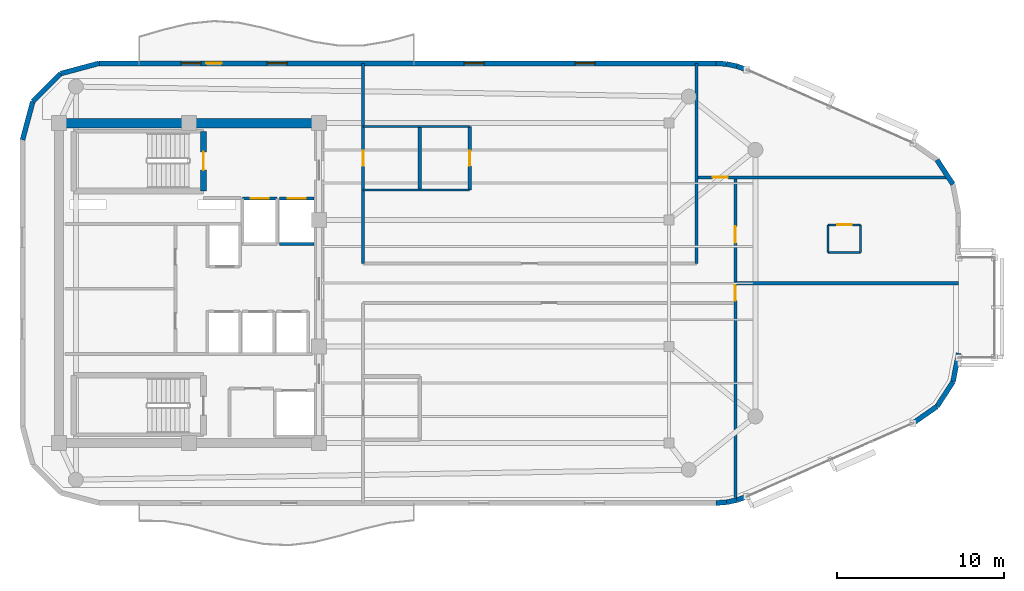
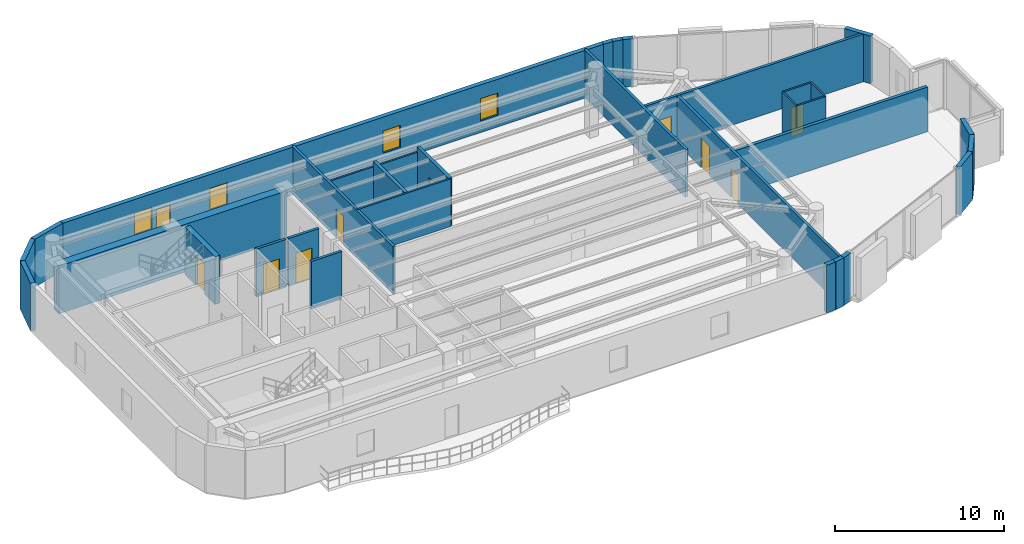
# One storey, part 10 of 13: 32 walls, 10 doors, 4 windows, 14 openings.
"""IFC4 building model written with IfcOpenShell, lengths in metres."""

from ifc_helpers import new_model, si_unit, direction, frame, frame_2d, origin, place, context, subcontext, project, spatial, rectangle, extrude, material, layer, layer_set, type_object, element, fill, save


model = new_model("IFC4")

# Units and contexts
model_context = context("Model", 3, precision=1e-05, world=origin(), true_north=direction((0.0, 1.0)))
body_context = subcontext(model_context, "Body", "Model", "MODEL_VIEW")
ifc_project = project(units=[si_unit("LENGTHUNIT", "METRE"), si_unit("AREAUNIT", "SQUARE_METRE"), si_unit("VOLUMEUNIT", "CUBIC_METRE"), si_unit("PLANEANGLEUNIT", "RADIAN"), si_unit("MASSUNIT", "GRAM", prefix="KILO")], contexts=[model_context])

# Site, building, storey
site_placement = place(None, origin())
site = spatial("IfcSite", under=ifc_project, at=site_placement, CompositionType="ELEMENT")
building_placement = place(site_placement, origin())
building = spatial("IfcBuilding", under=site, at=building_placement, Name="An Khanh Terracotta Commons", CompositionType="ELEMENT")
storey_placement = place(building_placement, frame((0.0, 0.0, 288.0)))
storey = spatial("IfcBuildingStorey", under=building, at=storey_placement, Name="L75", CompositionType="ELEMENT", Elevation=288.0)

# Wall
ifc_material_1 = material(Name="Concrete C50/60", Category="concrete")
ifc_layer_1 = layer(ifc_material_1, 0.550048828125, Name="Concrete C50/60")
ifc_layer_set_1 = layer_set([ifc_layer_1], Name="Concrete C50/60")
wall_type_1 = type_object("IfcWallType", Name="WALL-CORE-550", PredefinedType="SHEAR", material=ifc_layer_set_1)
wall_1_placement = place(storey_placement, frame((21.60009765625, 33.60009765625, 0.0), z_axis=(0.0, 0.0, 1.0), x_axis=(1.0, 0.0, 0.0)))
element("IfcWall", 1, at=wall_1_placement, inside=storey, type_object=wall_type_1, Name="L75 Core Wall CWALL-L75-N", PredefinedType="SHEAR", context=body_context, shape_type="SweptSolid", body=[
    extrude(rectangle(XDim=15.599853515625, YDim=0.550048828125, at=frame_2d((7.7998046875, 0.0))), origin(), (0.0, 0.0, 1.0), 3.449951171875),
])

# Wall, opening, door
ifc_material_2 = material(Name="Fire-Rated Gypsum Board on Steel Stud", Category="steel")
ifc_layer_2 = layer(ifc_material_2, 0.179931640625, Name="Fire-Rated Gypsum Board on Steel Stud")
ifc_layer_set_2 = layer_set([ifc_layer_2], Name="Fire-Rated Gypsum Board on Steel Stud")
wall_type_2 = type_object("IfcWallType", Name="WALL-CORR-180", PredefinedType="PARTITIONING", material=ifc_layer_set_2)
wall_2_placement = place(storey_placement, frame((32.60009765625, 29.080078125, 0.0), z_axis=(0.0, 0.0, 1.0), x_axis=(1.0, 0.0, 0.0)))
wall_2 = element("IfcWall", 2, at=wall_2_placement, inside=storey, type_object=wall_type_2, Name="L75 Core Wall LSH-L75-FFL-01-N", PredefinedType="PARTITIONING", context=body_context, shape_type="SweptSolid", body=[
    extrude(rectangle(XDim=2.079833984375, YDim=0.179931640625, at=frame_2d((1.0400390625, 0.0))), origin(), (0.0, 0.0, 1.0), 3.449951171875),
])
opening_1_placement = place(wall_2_placement, frame((0.489990234375, 0.0, 0.0)))
opening_1 = element("IfcOpeningElement", 3, at=opening_1_placement, cuts=wall_2, Name="Opening LD-FFL-01-L75", PredefinedType="OPENING", context=body_context, shape_type="SweptSolid", body=[
    extrude(rectangle(XDim=1.10009765625, YDim=2.199951171875, at=frame_2d((0.550048828125, 1.10009765625))), frame((0.0, 0.099853515625, 0.0), z_axis=(0.0, -1.0, 0.0), x_axis=(1.0, 0.0, 0.0)), (0.0, 0.0, 1.0), 0.199951171875),
])
ifc_material_3 = material(Name="Brushed Stainless Steel Fire Landing Door", Category="steel")
door_type_1 = type_object("IfcDoorType", Name="DOOR-LD-FFL-1100", OperationType="NOTDEFINED", PredefinedType="DOOR", material=ifc_material_3)
door_1_placement = place(opening_1_placement, origin())
door_1 = element("IfcDoor", 4, at=door_1_placement, inside=storey, type_object=door_type_1, Name="L75 Lift FFL-01 Sliding Landing Door", OperationType="DOUBLE_DOOR_SLIDING", OverallHeight=2.199951171875, OverallWidth=1.10009765625, PredefinedType="DOOR", context=body_context, shape_type="SweptSolid", body=[
    extrude(rectangle(XDim=1.10009765625, YDim=2.199951171875, at=frame_2d((0.550048828125, 1.10009765625))), frame((0.0, 0.02490234375, 0.0), z_axis=(0.0, -1.0, 0.0), x_axis=(1.0, 0.0, 0.0)), (0.0, 0.0, 1.0), 0.050048828125),
])
fill(opening_1, door_1)

wall_3_placement = place(storey_placement, frame((34.820068359375, 29.080078125, 0.0), z_axis=(0.0, 0.0, 1.0), x_axis=(1.0, 0.0, 0.0)))
wall_3 = element("IfcWall", 5, at=wall_3_placement, inside=storey, type_object=wall_type_2, Name="L75 Core Wall LSH-L75-FFL-02-N", PredefinedType="PARTITIONING", context=body_context, shape_type="SweptSolid", body=[
    extrude(rectangle(XDim=2.079833984375, YDim=0.179931640625, at=frame_2d((1.0400390625, 0.0))), origin(), (0.0, 0.0, 1.0), 3.449951171875),
])
opening_2_placement = place(wall_3_placement, frame((0.489990234375, 0.0, 0.0)))
opening_2 = element("IfcOpeningElement", 6, at=opening_2_placement, cuts=wall_3, Name="Opening LD-FFL-02-L75", PredefinedType="OPENING", context=body_context, shape_type="SweptSolid", body=[
    extrude(rectangle(XDim=1.10009765625, YDim=2.199951171875, at=frame_2d((0.550048828125, 1.10009765625))), frame((0.0, 0.099853515625, 0.0), z_axis=(0.0, -1.0, 0.0), x_axis=(1.0, 0.0, 0.0)), (0.0, 0.0, 1.0), 0.199951171875),
])
door_2_placement = place(opening_2_placement, origin())
door_2 = element("IfcDoor", 7, at=door_2_placement, inside=storey, type_object=door_type_1, Name="L75 Lift FFL-02 Sliding Landing Door", OperationType="DOUBLE_DOOR_SLIDING", OverallHeight=2.199951171875, OverallWidth=1.10009765625, PredefinedType="DOOR", context=body_context, shape_type="SweptSolid", body=[
    extrude(rectangle(XDim=1.10009765625, YDim=2.199951171875, at=frame_2d((0.550048828125, 1.10009765625))), frame((0.0, 0.02490234375, 0.0), z_axis=(0.0, -1.0, 0.0), x_axis=(1.0, 0.0, 0.0)), (0.0, 0.0, 1.0), 0.050048828125),
])
fill(opening_2, door_2)

# Wall
wall_4_placement = place(storey_placement, frame((36.89990234375, 26.35009765625, 0.0), z_axis=(0.0, 0.0, 1.0), x_axis=(-1.0, 0.0, 0.0)))
element("IfcWall", 8, at=wall_4_placement, inside=storey, type_object=wall_type_2, Name="L75 Core Wall LSH-L75-FFL-02-S", PredefinedType="PARTITIONING", context=body_context, shape_type="SweptSolid", body=[
    extrude(rectangle(XDim=2.079833984375, YDim=0.179931640625, at=frame_2d((1.0400390625, 0.0))), origin(), (0.0, 0.0, 1.0), 3.449951171875),
])

# Wall, opening, door
wall_5_placement = place(storey_placement, frame((59.85009765625, 30.35009765625, 0.0), z_axis=(0.0, 0.0, 1.0), x_axis=(1.0, 0.0, 0.0)))
wall_5 = element("IfcWall", 9, at=wall_5_placement, inside=storey, type_object=wall_type_2, Name="L75 Interior Partition IW-L75-E007", PredefinedType="PARTITIONING", context=body_context, shape_type="SweptSolid", body=[
    extrude(rectangle(XDim=15.138916015625, YDim=0.179931640625, at=frame_2d((7.5693359375, 0.0))), origin(), (0.0, 0.0, 1.0), 3.449951171875),
])
opening_3_placement = place(wall_5_placement, frame((0.97509765625, 0.0, 0.0)))
opening_3 = element("IfcOpeningElement", 10, at=opening_3_placement, cuts=wall_5, Name="Opening D-RM", PredefinedType="OPENING", context=body_context, shape_type="SweptSolid", body=[
    extrude(rectangle(XDim=0.919921875, YDim=2.10009765625, at=frame_2d((0.4599609375, 1.050048828125))), frame((0.0, 0.099853515625, 0.0), z_axis=(0.0, -1.0, 0.0), x_axis=(1.0, 0.0, 0.0)), (0.0, 0.0, 1.0), 0.199951171875),
])
ifc_material_4 = material(Name="Engineered Hardwood Timber Leaf", Category="wood")
door_type_2 = type_object("IfcDoorType", Name="DOOR-INT-920", OperationType="NOTDEFINED", PredefinedType="DOOR", material=ifc_material_4)
door_3_placement = place(opening_3_placement, origin())
door_3 = element("IfcDoor", 11, at=door_3_placement, inside=storey, type_object=door_type_2, Name="L75 ZCN Boardroom Meeting Room Door", OperationType="SINGLE_SWING_RIGHT", OverallHeight=2.10009765625, OverallWidth=0.919921875, PredefinedType="DOOR", context=body_context, shape_type="SweptSolid", body=[
    extrude(rectangle(XDim=0.919921875, YDim=2.10009765625, at=frame_2d((0.4599609375, 1.050048828125))), frame((0.0, 0.02490234375, 0.0), z_axis=(0.0, -1.0, 0.0), x_axis=(1.0, 0.0, 0.0)), (0.0, 0.0, 1.0), 0.050048828125),
])
fill(opening_3, door_3)

wall_6_placement = place(storey_placement, frame((39.85009765625, 25.179931640625, 0.0), z_axis=(0.0, 0.0, 1.0), x_axis=(0.0, 1.0, 0.0)))
wall_6 = element("IfcWall", 12, at=wall_6_placement, inside=storey, type_object=wall_type_2, Name="L75 Interior Partition IW-L75-E010", PredefinedType="PARTITIONING", context=body_context, shape_type="SweptSolid", body=[
    extrude(rectangle(XDim=12.02001953125, YDim=0.179931640625, at=frame_2d((6.010009765625, 0.0))), origin(), (0.0, 0.0, 1.0), 3.449951171875),
])
opening_4_placement = place(wall_6_placement, frame((5.8701171875, 0.0, 0.0)))
opening_4 = element("IfcOpeningElement", 13, at=opening_4_placement, cuts=wall_6, Name="Opening D-WC", PredefinedType="OPENING", context=body_context, shape_type="SweptSolid", body=[
    extrude(rectangle(XDim=0.89990234375, YDim=2.10009765625, at=frame_2d((0.449951171875, 1.050048828125))), frame((0.0, 0.099853515625, 0.0), z_axis=(0.0, -1.0, 0.0), x_axis=(1.0, 0.0, 0.0)), (0.0, 0.0, 1.0), 0.199951171875),
])
ifc_material_5 = material(Name="Laminate Moisture-Resistant Timber Leaf", Category="wood")
door_type_3 = type_object("IfcDoorType", Name="DOOR-WC-900", OperationType="NOTDEFINED", PredefinedType="DOOR", material=ifc_material_5)
door_4_placement = place(opening_4_placement, origin())
door_4 = element("IfcDoor", 14, at=door_4_placement, inside=storey, type_object=door_type_3, Name="L75 AWC Accessible WC Door", OperationType="SINGLE_SWING_RIGHT", OverallHeight=2.10009765625, OverallWidth=0.89990234375, PredefinedType="DOOR", context=body_context, shape_type="SweptSolid", body=[
    extrude(rectangle(XDim=0.89990234375, YDim=2.10009765625, at=frame_2d((0.449951171875, 1.050048828125))), frame((0.0, 0.02490234375, 0.0), z_axis=(0.0, -1.0, 0.0), x_axis=(1.0, 0.0, 0.0)), (0.0, 0.0, 1.0), 0.050048828125),
])
fill(opening_4, door_4)

# Wall
wall_7_placement = place(storey_placement, frame((59.85009765625, 25.179931640625, 0.0), z_axis=(0.0, 0.0, 1.0), x_axis=(0.0, 1.0, 0.0)))
element("IfcWall", 15, at=wall_7_placement, inside=storey, type_object=wall_type_2, Name="L75 Interior Partition IW-L75-E014", PredefinedType="PARTITIONING", context=body_context, shape_type="SweptSolid", body=[
    extrude(rectangle(XDim=12.02001953125, YDim=0.179931640625, at=frame_2d((6.010009765625, 0.0))), origin(), (0.0, 0.0, 1.0), 3.449951171875),
])

# Wall, openings, doors
wall_8_placement = place(storey_placement, frame((62.199951171875, 11.1201171875, 0.0), z_axis=(0.0, 0.0, 1.0), x_axis=(0.0, 1.0, 0.0)))
wall_8 = element("IfcWall", 16, at=wall_8_placement, inside=storey, type_object=wall_type_2, Name="L75 Interior Partition IW-L75-E015", PredefinedType="PARTITIONING", context=body_context, shape_type="SweptSolid", body=[
    extrude(rectangle(XDim=19.22998046875, YDim=0.179931640625, at=frame_2d((9.614990234375, 0.0))), origin(), (0.0, 0.0, 1.0), 3.449951171875),
])
opening_5_placement = place(wall_8_placement, frame((15.294921875, 0.0, 0.0)))
opening_5 = element("IfcOpeningElement", 17, at=opening_5_placement, cuts=wall_8, Name="Opening D-UN", PredefinedType="OPENING", context=body_context, shape_type="SweptSolid", body=[
    extrude(rectangle(XDim=1.0, YDim=2.14990234375, at=frame_2d((0.5, 1.074951171875))), frame((0.0, 0.099853515625, 0.0), z_axis=(0.0, -1.0, 0.0), x_axis=(1.0, 0.0, 0.0)), (0.0, 0.0, 1.0), 0.199951171875),
])
opening_6_placement = place(wall_8_placement, frame((11.830078125, 0.0, 0.0)))
opening_6 = element("IfcOpeningElement", 18, at=opening_6_placement, cuts=wall_8, Name="Opening D-RM", PredefinedType="OPENING", context=body_context, shape_type="SweptSolid", body=[
    extrude(rectangle(XDim=0.919921875, YDim=2.10009765625, at=frame_2d((0.4599609375, 1.050048828125))), frame((0.0, 0.099853515625, 0.0), z_axis=(0.0, -1.0, 0.0), x_axis=(1.0, 0.0, 0.0)), (0.0, 0.0, 1.0), 0.199951171875),
])
door_5_placement = place(opening_6_placement, origin())
door_5 = element("IfcDoor", 19, at=door_5_placement, inside=storey, type_object=door_type_2, Name="L75 ZE2 Academic Seminar Room Door", OperationType="SINGLE_SWING_RIGHT", OverallHeight=2.10009765625, OverallWidth=0.919921875, PredefinedType="DOOR", context=body_context, shape_type="SweptSolid", body=[
    extrude(rectangle(XDim=0.919921875, YDim=2.10009765625, at=frame_2d((0.4599609375, 1.050048828125))), frame((0.0, 0.02490234375, 0.0), z_axis=(0.0, -1.0, 0.0), x_axis=(1.0, 0.0, 0.0)), (0.0, 0.0, 1.0), 0.050048828125),
])
fill(opening_6, door_5)
ifc_material_6 = material(Name="Solid-Core Hardwood Acoustic Fire Door", Category="wood")
door_type_4 = type_object("IfcDoorType", Name="DOOR-UNIT-1000", OperationType="NOTDEFINED", PredefinedType="DOOR", material=ifc_material_6)
door_6_placement = place(opening_5_placement, origin())
door_6 = element("IfcDoor", 20, at=door_6_placement, inside=storey, type_object=door_type_4, Name="L75 ZE1 Kitchenette and Studio Apartment Door", OperationType="SINGLE_SWING_LEFT", OverallHeight=2.14990234375, OverallWidth=1.0, PredefinedType="DOOR", context=body_context, shape_type="SweptSolid", body=[
    extrude(rectangle(XDim=1.0, YDim=2.14990234375, at=frame_2d((0.5, 1.074951171875))), frame((0.0, 0.02490234375, 0.0), z_axis=(0.0, -1.0, 0.0), x_axis=(1.0, 0.0, 0.0)), (0.0, 0.0, 1.0), 0.050048828125),
])
fill(opening_5, door_6)

# Walls
ifc_material_7 = material(Name="Precast concrete C40/50", Category="concrete")
ifc_layer_3 = layer(ifc_material_7, 0.300048828125, Name="Precast concrete C40/50")
ifc_layer_set_3 = layer_set([ifc_layer_3], Name="Precast concrete C40/50")
wall_type_3 = type_object("IfcWallType", Name="WALL-EXT-300", PredefinedType="SOLIDWALL", material=ifc_layer_set_3)
wall_9_placement = place(storey_placement, frame((61.030029296875, 10.800048828125, 0.0), z_axis=(0.0, 0.0, 1.0), x_axis=(0.997613959688, 0.069039028352, 0.0)))
element("IfcWall", 21, at=wall_9_placement, inside=storey, type_object=wall_type_3, Name="L75 Insulated Terracotta Exterior Wall 5", PredefinedType="SOLIDWALL", context=body_context, shape_type="SweptSolid", body=[
    extrude(rectangle(XDim=0.636474609375, YDim=0.300048828125, at=frame_2d((0.318359375, 0.0))), origin(), (0.0, 0.0, 1.0), 3.449951171875),
])
wall_10_placement = place(storey_placement, frame((61.6650390625, 10.843994140625, 0.0), z_axis=(0.0, 0.0, 1.0), x_axis=(0.97857012251, 0.205913854149, 0.0)))
element("IfcWall", 22, at=wall_10_placement, inside=storey, type_object=wall_type_3, Name="L75 Insulated Terracotta Exterior Wall 6", PredefinedType="SOLIDWALL", context=body_context, shape_type="SweptSolid", body=[
    extrude(rectangle(XDim=0.63671875, YDim=0.300048828125, at=frame_2d((0.318359375, 0.0))), origin(), (0.0, 0.0, 1.0), 3.449951171875),
])
wall_11_placement = place(storey_placement, frame((62.2880859375, 10.97509765625, 0.0), z_axis=(0.0, 0.0, 1.0), x_axis=(0.94077491148, 0.339031806665, 0.0)))
element("IfcWall", 23, at=wall_11_placement, inside=storey, type_object=wall_type_3, Name="L75 Insulated Terracotta Exterior Wall 7", PredefinedType="SOLIDWALL", context=body_context, shape_type="SweptSolid", body=[
    extrude(rectangle(XDim=0.636474609375, YDim=0.300048828125, at=frame_2d((0.318359375, 0.0))), origin(), (0.0, 0.0, 1.0), 3.449951171875),
])
wall_12_placement = place(storey_placement, frame((72.85693359375, 15.590087890625, 0.0), z_axis=(0.0, 0.0, 1.0), x_axis=(0.821006966142, 0.570918174124, 0.0)))
element("IfcWall", 24, at=wall_12_placement, inside=storey, type_object=wall_type_3, Name="L75 Insulated Terracotta Exterior Wall 9", PredefinedType="SOLIDWALL", context=body_context, shape_type="SweptSolid", body=[
    extrude(rectangle(XDim=1.760009765625, YDim=0.300048828125, at=frame_2d((0.8798828125, 0.0))), origin(), (0.0, 0.0, 1.0), 3.449951171875),
])
for number, where, z_axis, x_axis, name in (
    (25, (74.302001953125, 16.594970703125, 0.0), (0.0, 0.0, 1.0), (0.545836224831, 0.837891887813, 0.0), "L75 Insulated Terracotta Exterior Wall 10"),
    (26, (75.262939453125, 18.070068359375, 0.0), (0.0, 0.0, 1.0), (0.1915005851, 0.981492499159, 0.0), "L75 Insulated Terracotta Exterior Wall 11"),
    (27, (75.262939453125, 29.929931640625, 0.0), (0.0, 0.0, 1.0), (-0.545836224831, 0.837891887813, 0.0), "L75 Insulated Terracotta Exterior Wall 14"),
):
    element("IfcWall", number, at=place(storey_placement, frame(where, z_axis=z_axis, x_axis=x_axis)), inside=storey, type_object=wall_type_3, Name=name, PredefinedType="SOLIDWALL", context=body_context, shape_type="SweptSolid", body=[
        extrude(rectangle(XDim=1.760498046875, YDim=0.300048828125, at=frame_2d((0.88037109375, 0.0))), origin(), (0.0, 0.0, 1.0), 3.449951171875),
    ])
wall_13_placement = place(storey_placement, frame((62.886962890625, 36.80908203125, 0.0), z_axis=(0.0, 0.0, 1.0), x_axis=(-0.94077491148, 0.339031806665, 0.0)))
element("IfcWall", 28, at=wall_13_placement, inside=storey, type_object=wall_type_3, Name="L75 Insulated Terracotta Exterior Wall 17", PredefinedType="SOLIDWALL", context=body_context, shape_type="SweptSolid", body=[
    extrude(rectangle(XDim=0.636474609375, YDim=0.300048828125, at=frame_2d((0.318359375, 0.0))), origin(), (0.0, 0.0, 1.0), 3.449951171875),
])
wall_14_placement = place(storey_placement, frame((62.2880859375, 37.02490234375, 0.0), z_axis=(0.0, 0.0, 1.0), x_axis=(-0.97857012251, 0.205913854149, 0.0)))
element("IfcWall", 29, at=wall_14_placement, inside=storey, type_object=wall_type_3, Name="L75 Insulated Terracotta Exterior Wall 18", PredefinedType="SOLIDWALL", context=body_context, shape_type="SweptSolid", body=[
    extrude(rectangle(XDim=0.63671875, YDim=0.300048828125, at=frame_2d((0.318359375, 0.0))), origin(), (0.0, 0.0, 1.0), 3.449951171875),
])
wall_15_placement = place(storey_placement, frame((61.6650390625, 37.156005859375, 0.0), z_axis=(0.0, 0.0, 1.0), x_axis=(-0.997613959688, 0.069039028352, 0.0)))
element("IfcWall", 30, at=wall_15_placement, inside=storey, type_object=wall_type_3, Name="L75 Insulated Terracotta Exterior Wall 19", PredefinedType="SOLIDWALL", context=body_context, shape_type="SweptSolid", body=[
    extrude(rectangle(XDim=0.636474609375, YDim=0.300048828125, at=frame_2d((0.318359375, 0.0))), origin(), (0.0, 0.0, 1.0), 3.449951171875),
])

# Wall, openings, door, windows
wall_16_placement = place(storey_placement, frame((61.030029296875, 37.199951171875, 0.0), z_axis=(0.0, 0.0, 1.0), x_axis=(-1.0, 0.0, 0.0)))
wall_16 = element("IfcWall", 31, at=wall_16_placement, inside=storey, type_object=wall_type_3, Name="L75 Insulated Terracotta Exterior Wall 20", PredefinedType="SOLIDWALL", context=body_context, shape_type="SweptSolid", body=[
    extrude(rectangle(XDim=37.030029296875, YDim=0.300048828125, at=frame_2d((18.51513671875, 0.0))), origin(), (0.0, 0.0, 1.0), 3.449951171875),
])
opening_7_placement = place(wall_16_placement, frame((29.655029296875, 0.0, 0.0)))
opening_7 = element("IfcOpeningElement", 32, at=opening_7_placement, cuts=wall_16, Name="Opening D-BAL", PredefinedType="OPENING", context=body_context, shape_type="SweptSolid", body=[
    extrude(rectangle(XDim=0.949951171875, YDim=2.199951171875, at=frame_2d((0.47509765625, 1.10009765625))), frame((0.0, 0.159912109375, 0.0), z_axis=(0.0, -1.0, 0.0), x_axis=(1.0, 0.0, 0.0)), (0.0, 0.0, 1.0), 0.320068359375),
])
opening_8_placement = place(wall_16_placement, frame((7.2470703125, 0.0, 0.85009765625)))
opening_8 = element("IfcOpeningElement", 33, at=opening_8_placement, cuts=wall_16, Name="Opening W-05", PredefinedType="OPENING", context=body_context, shape_type="SweptSolid", body=[
    extrude(rectangle(XDim=1.199951171875, YDim=1.60009765625, at=frame_2d((0.60009765625, 0.800048828125))), frame((0.0, 0.159912109375, 0.0), z_axis=(0.0, -1.0, 0.0), x_axis=(1.0, 0.0, 0.0)), (0.0, 0.0, 1.0), 0.320068359375),
])
opening_9_placement = place(wall_16_placement, frame((13.9130859375, 0.0, 0.85009765625)))
opening_9 = element("IfcOpeningElement", 34, at=opening_9_placement, cuts=wall_16, Name="Opening W-05", PredefinedType="OPENING", context=body_context, shape_type="SweptSolid", body=[
    extrude(rectangle(XDim=1.199951171875, YDim=1.60009765625, at=frame_2d((0.60009765625, 0.800048828125))), frame((0.0, 0.159912109375, 0.0), z_axis=(0.0, -1.0, 0.0), x_axis=(1.0, 0.0, 0.0)), (0.0, 0.0, 1.0), 0.320068359375),
])
opening_10_placement = place(wall_16_placement, frame((25.7470703125, 0.0, 0.85009765625)))
opening_10 = element("IfcOpeningElement", 35, at=opening_10_placement, cuts=wall_16, Name="Opening W-05", PredefinedType="OPENING", context=body_context, shape_type="SweptSolid", body=[
    extrude(rectangle(XDim=1.199951171875, YDim=1.60009765625, at=frame_2d((0.60009765625, 0.800048828125))), frame((0.0, 0.159912109375, 0.0), z_axis=(0.0, -1.0, 0.0), x_axis=(1.0, 0.0, 0.0)), (0.0, 0.0, 1.0), 0.320068359375),
])
opening_11_placement = place(wall_16_placement, frame((30.9130859375, 0.0, 0.85009765625)))
opening_11 = element("IfcOpeningElement", 36, at=opening_11_placement, cuts=wall_16, Name="Opening W-05", PredefinedType="OPENING", context=body_context, shape_type="SweptSolid", body=[
    extrude(rectangle(XDim=1.199951171875, YDim=1.60009765625, at=frame_2d((0.60009765625, 0.800048828125))), frame((0.0, 0.159912109375, 0.0), z_axis=(0.0, -1.0, 0.0), x_axis=(1.0, 0.0, 0.0)), (0.0, 0.0, 1.0), 0.320068359375),
])
ifc_material_8 = material(Name="Thermally Broken Aluminium and Low-E Glass", Category="aluminium")
door_type_5 = type_object("IfcDoorType", Name="DOOR-BALC-950", OperationType="NOTDEFINED", PredefinedType="DOOR", material=ifc_material_8)
door_7_placement = place(opening_7_placement, origin())
door_7 = element("IfcDoor", 37, at=door_7_placement, inside=storey, type_object=door_type_5, Name="L75 N Wave Balcony Glazed Door", OperationType="SINGLE_SWING_RIGHT", OverallHeight=2.199951171875, OverallWidth=0.949951171875, PredefinedType="DOOR", context=body_context, shape_type="SweptSolid", body=[
    extrude(rectangle(XDim=0.949951171875, YDim=2.199951171875, at=frame_2d((0.47509765625, 1.10009765625))), frame((0.0, 0.02490234375, 0.0), z_axis=(0.0, -1.0, 0.0), x_axis=(1.0, 0.0, 0.0)), (0.0, 0.0, 1.0), 0.050048828125),
])
fill(opening_7, door_7)
window_type = type_object("IfcWindowType", Name="WIN-Z5-1200x1600", PartitioningType="SINGLE_PANEL", PredefinedType="WINDOW", material=ifc_material_8)
window_1_placement = place(opening_8_placement, origin())
window_1 = element("IfcWindow", 38, at=window_1_placement, inside=storey, type_object=window_type, Name="L75 Operable Casement Window 20.1", OverallHeight=1.60009765625, OverallWidth=1.199951171875, PartitioningType="SINGLE_PANEL", PredefinedType="WINDOW", context=body_context, shape_type="SweptSolid", body=[
    extrude(rectangle(XDim=1.199951171875, YDim=1.60009765625, at=frame_2d((0.60009765625, 0.800048828125))), frame((0.0, 0.030029296875, 0.0), z_axis=(0.0, -1.0, 0.0), x_axis=(1.0, 0.0, 0.0)), (0.0, 0.0, 1.0), 0.06005859375),
])
fill(opening_8, window_1)
window_2_placement = place(opening_9_placement, origin())
window_2 = element("IfcWindow", 39, at=window_2_placement, inside=storey, type_object=window_type, Name="L75 Operable Casement Window 20.2", OverallHeight=1.60009765625, OverallWidth=1.199951171875, PartitioningType="SINGLE_PANEL", PredefinedType="WINDOW", context=body_context, shape_type="SweptSolid", body=[
    extrude(rectangle(XDim=1.199951171875, YDim=1.60009765625, at=frame_2d((0.60009765625, 0.800048828125))), frame((0.0, 0.030029296875, 0.0), z_axis=(0.0, -1.0, 0.0), x_axis=(1.0, 0.0, 0.0)), (0.0, 0.0, 1.0), 0.06005859375),
])
fill(opening_9, window_2)
window_3_placement = place(opening_10_placement, origin())
window_3 = element("IfcWindow", 40, at=window_3_placement, inside=storey, type_object=window_type, Name="L75 Operable Casement Window 20.3", OverallHeight=1.60009765625, OverallWidth=1.199951171875, PartitioningType="SINGLE_PANEL", PredefinedType="WINDOW", context=body_context, shape_type="SweptSolid", body=[
    extrude(rectangle(XDim=1.199951171875, YDim=1.60009765625, at=frame_2d((0.60009765625, 0.800048828125))), frame((0.0, 0.030029296875, 0.0), z_axis=(0.0, -1.0, 0.0), x_axis=(1.0, 0.0, 0.0)), (0.0, 0.0, 1.0), 0.06005859375),
])
fill(opening_10, window_3)
window_4_placement = place(opening_11_placement, origin())
window_4 = element("IfcWindow", 41, at=window_4_placement, inside=storey, type_object=window_type, Name="L75 Operable Casement Window 20.4", OverallHeight=1.60009765625, OverallWidth=1.199951171875, PartitioningType="SINGLE_PANEL", PredefinedType="WINDOW", context=body_context, shape_type="SweptSolid", body=[
    extrude(rectangle(XDim=1.199951171875, YDim=1.60009765625, at=frame_2d((0.60009765625, 0.800048828125))), frame((0.0, 0.030029296875, 0.0), z_axis=(0.0, -1.0, 0.0), x_axis=(1.0, 0.0, 0.0)), (0.0, 0.0, 1.0), 0.06005859375),
])
fill(opening_11, window_4)

# Walls
wall_17_placement = place(storey_placement, frame((24.0, 37.199951171875, 0.0), z_axis=(0.0, 0.0, 1.0), x_axis=(-0.965960405575, -0.25868995895, 0.0)))
element("IfcWall", 42, at=wall_17_placement, inside=storey, type_object=wall_type_3, Name="L75 Insulated Terracotta Exterior Wall 21", PredefinedType="SOLIDWALL", context=body_context, shape_type="SweptSolid", body=[
    extrude(rectangle(XDim=2.381103515625, YDim=0.300048828125, at=frame_2d((1.1904296875, 0.0))), origin(), (0.0, 0.0, 1.0), 3.449951171875),
])
wall_18_placement = place(storey_placement, frame((21.699951171875, 36.583984375, 0.0), z_axis=(0.0, 0.0, 1.0), x_axis=(-0.707055521135, -0.707158037522, 0.0)))
element("IfcWall", 43, at=wall_18_placement, inside=storey, type_object=wall_type_3, Name="L75 Insulated Terracotta Exterior Wall 22", PredefinedType="SOLIDWALL", context=body_context, shape_type="SweptSolid", body=[
    extrude(rectangle(XDim=2.381591796875, YDim=0.300048828125, at=frame_2d((1.19091796875, 0.0))), origin(), (0.0, 0.0, 1.0), 3.449951171875),
])
wall_19_placement = place(storey_placement, frame((20.01611328125, 34.89990234375, 0.0), z_axis=(0.0, 0.0, 1.0), x_axis=(-0.258811258154, -0.965927912762, 0.0)))
element("IfcWall", 44, at=wall_19_placement, inside=storey, type_object=wall_type_3, Name="L75 Insulated Terracotta Exterior Wall 23", PredefinedType="SOLIDWALL", context=body_context, shape_type="SweptSolid", body=[
    extrude(rectangle(XDim=2.380859375, YDim=0.300048828125, at=frame_2d((1.1904296875, 0.0))), origin(), (0.0, 0.0, 1.0), 3.449951171875),
])
ifc_material_9 = material(Name="Acoustic Double-Stud Gypsum and Mineral Wool")
ifc_layer_4 = layer(ifc_material_9, 0.219970703125, Name="Acoustic Double-Stud Gypsum and Mineral Wool")
ifc_layer_set_4 = layer_set([ifc_layer_4], Name="Acoustic Double-Stud Gypsum and Mineral Wool")
wall_type_4 = type_object("IfcWallType", Name="WALL-PARTY-220", PredefinedType="PARTITIONING", material=ifc_layer_set_4)
wall_20_placement = place(storey_placement, frame((62.199951171875, 24.0, 0.0), z_axis=(0.0, 0.0, 1.0), x_axis=(1.0, 0.0, 0.0)))
element("IfcWall", 45, at=wall_20_placement, inside=storey, type_object=wall_type_4, Name="L75 Interior Partition IW-L75-E004", PredefinedType="PARTITIONING", context=body_context, shape_type="SweptSolid", body=[
    extrude(rectangle(XDim=13.400146484375, YDim=0.219970703125, at=frame_2d((6.7001953125, 0.0))), origin(), (0.0, 0.0, 1.0), 3.23193359375),
])
wall_21_placement = place(storey_placement, frame((43.25, 29.60009765625, 0.0), z_axis=(0.0, 0.0, 1.0), x_axis=(0.0, 1.0, 0.0)))
element("IfcWall", 46, at=wall_21_placement, inside=storey, type_object=wall_type_4, Name="L75 Interior Partition IW-L75-E012", PredefinedType="PARTITIONING", context=body_context, shape_type="SweptSolid", body=[
    extrude(rectangle(XDim=3.7998046875, YDim=0.219970703125, at=frame_2d((1.89990234375, 0.0))), origin(), (0.0, 0.0, 1.0), 3.449951171875),
])

# Wall, opening, door
wall_22_placement = place(storey_placement, frame((46.25, 29.60009765625, 0.0), z_axis=(0.0, 0.0, 1.0), x_axis=(0.0, 1.0, 0.0)))
wall_22 = element("IfcWall", 47, at=wall_22_placement, inside=storey, type_object=wall_type_4, Name="L75 Interior Partition IW-L75-E013", PredefinedType="PARTITIONING", context=body_context, shape_type="SweptSolid", body=[
    extrude(rectangle(XDim=3.7998046875, YDim=0.219970703125, at=frame_2d((1.89990234375, 0.0))), origin(), (0.0, 0.0, 1.0), 3.449951171875),
])
opening_12_placement = place(wall_22_placement, frame((1.43994140625, 0.0, 0.0)))
opening_12 = element("IfcOpeningElement", 48, at=opening_12_placement, cuts=wall_22, Name="Opening D-RM", PredefinedType="OPENING", context=body_context, shape_type="SweptSolid", body=[
    extrude(rectangle(XDim=0.919921875, YDim=2.10009765625, at=frame_2d((0.4599609375, 1.050048828125))), frame((0.0, 0.119873046875, 0.0), z_axis=(0.0, -1.0, 0.0), x_axis=(1.0, 0.0, 0.0)), (0.0, 0.0, 1.0), 0.239990234375),
])
door_8_placement = place(opening_12_placement, origin())
door_8 = element("IfcDoor", 49, at=door_8_placement, inside=storey, type_object=door_type_2, Name="L75 HKP Housekeeping Linen Store Door", OperationType="SINGLE_SWING_LEFT", OverallHeight=2.10009765625, OverallWidth=0.919921875, PredefinedType="DOOR", context=body_context, shape_type="SweptSolid", body=[
    extrude(rectangle(XDim=0.919921875, YDim=2.10009765625, at=frame_2d((0.4599609375, 1.050048828125))), frame((0.0, 0.02490234375, 0.0), z_axis=(0.0, -1.0, 0.0), x_axis=(1.0, 0.0, 0.0)), (0.0, 0.0, 1.0), 0.050048828125),
])
fill(opening_12, door_8)

ifc_layer_5 = layer(ifc_material_1, 0.35009765625, Name="Concrete C50/60")
ifc_layer_set_5 = layer_set([ifc_layer_5], Name="Concrete C50/60")
wall_type_5 = type_object("IfcWallType", Name="WALL-SHAFT-350", PredefinedType="SOLIDWALL", material=ifc_layer_set_5)
wall_23_placement = place(storey_placement, frame((30.27001953125, 29.530029296875, 0.0), z_axis=(0.0, 0.0, 1.0), x_axis=(0.0, 1.0, 0.0)))
wall_23 = element("IfcWall", 50, at=wall_23_placement, inside=storey, type_object=wall_type_5, Name="L75 Core Wall STW-L75-N-E", PredefinedType="SOLIDWALL", context=body_context, shape_type="SweptSolid", body=[
    extrude(rectangle(XDim=3.580078125, YDim=0.35009765625, at=frame_2d((1.7900390625, 0.0))), origin(), (0.0, 0.0, 1.0), 3.449951171875),
])
opening_13_placement = place(wall_23_placement, frame((1.25, 0.0, 0.0)))
opening_13 = element("IfcOpeningElement", 51, at=opening_13_placement, cuts=wall_23, Name="Opening D-ST", PredefinedType="OPENING", context=body_context, shape_type="SweptSolid", body=[
    extrude(rectangle(XDim=1.10009765625, YDim=2.14990234375, at=frame_2d((0.550048828125, 1.074951171875))), frame((0.0, 0.18505859375, 0.0), z_axis=(0.0, -1.0, 0.0), x_axis=(1.0, 0.0, 0.0)), (0.0, 0.0, 1.0), 0.3701171875),
])
ifc_material_10 = material(Name="Fire-Rated Steel Leaf and Frame", Category="steel")
door_type_6 = type_object("IfcDoorType", Name="DOOR-STAIR-1100", OperationType="NOTDEFINED", PredefinedType="DOOR", material=ifc_material_10)
door_9_placement = place(opening_13_placement, origin())
door_9 = element("IfcDoor", 52, at=door_9_placement, inside=storey, type_object=door_type_6, Name="L75 Stair ST-01 Fire Door", OperationType="SINGLE_SWING_RIGHT", OverallHeight=2.14990234375, OverallWidth=1.10009765625, PredefinedType="DOOR", context=body_context, shape_type="SweptSolid", body=[
    extrude(rectangle(XDim=1.10009765625, YDim=2.14990234375, at=frame_2d((0.550048828125, 1.074951171875))), frame((0.0, 0.02490234375, 0.0), z_axis=(0.0, -1.0, 0.0), x_axis=(1.0, 0.0, 0.0)), (0.0, 0.0, 1.0), 0.050048828125),
])
fill(opening_13, door_9)

ifc_material_11 = material(Name="Moisture-Resistant Cement Board Partition")
ifc_layer_6 = layer(ifc_material_11, 0.1201171875, Name="Moisture-Resistant Cement Board Partition")
ifc_layer_set_6 = layer_set([ifc_layer_6], Name="Moisture-Resistant Cement Board Partition")
wall_type_6 = type_object("IfcWallType", Name="WALL-WET-120", PredefinedType="PARTITIONING", material=ifc_layer_set_6)
wall_24_placement = place(storey_placement, frame((67.764892578125, 27.5009765625, 0.0), z_axis=(0.0, 0.0, 1.0), x_axis=(1.0, 0.0, 0.0)))
wall_24 = element("IfcWall", 53, at=wall_24_placement, inside=storey, type_object=wall_type_6, Name="L75 Interior Partition IW-L75-ZE1-BN", PredefinedType="PARTITIONING", context=body_context, shape_type="SweptSolid", body=[
    extrude(rectangle(XDim=1.9501953125, YDim=0.1201171875, at=frame_2d((0.97509765625, 0.0))), origin(), (0.0, 0.0, 1.0), 3.449951171875),
])
opening_14_placement = place(wall_24_placement, frame((0.544921875, 0.0, 0.0)))
opening_14 = element("IfcOpeningElement", 54, at=opening_14_placement, cuts=wall_24, Name="Opening D-ENS", PredefinedType="OPENING", context=body_context, shape_type="SweptSolid", body=[
    extrude(rectangle(XDim=0.860107421875, YDim=2.10009765625, at=frame_2d((0.43017578125, 1.050048828125))), frame((0.0, 0.070068359375, 0.0), z_axis=(0.0, -1.0, 0.0), x_axis=(1.0, 0.0, 0.0)), (0.0, 0.0, 1.0), 0.14013671875),
])
ifc_material_12 = material(Name="Moisture-Resistant Hardwood Timber Leaf", Category="wood")
door_type_7 = type_object("IfcDoorType", Name="DOOR-BATH-860", OperationType="NOTDEFINED", PredefinedType="DOOR", material=ifc_material_12)
door_10_placement = place(opening_14_placement, origin())
door_10 = element("IfcDoor", 55, at=door_10_placement, inside=storey, type_object=door_type_7, Name="L75 Studio ZE1 En-suite Door", OperationType="SINGLE_SWING_LEFT", OverallHeight=2.10009765625, OverallWidth=0.860107421875, PredefinedType="DOOR", context=body_context, shape_type="SweptSolid", body=[
    extrude(rectangle(XDim=0.860107421875, YDim=2.10009765625, at=frame_2d((0.43017578125, 1.050048828125))), frame((0.0, 0.02490234375, 0.0), z_axis=(0.0, -1.0, 0.0), x_axis=(1.0, 0.0, 0.0)), (0.0, 0.0, 1.0), 0.050048828125),
])
fill(opening_14, door_10)

# Walls
wall_25_placement = place(storey_placement, frame((69.715087890625, 25.85107421875, 0.0), z_axis=(0.0, 0.0, 1.0), x_axis=(-1.0, 0.0, 0.0)))
element("IfcWall", 56, at=wall_25_placement, inside=storey, type_object=wall_type_6, Name="L75 Interior Partition IW-L75-ZE1-BS", PredefinedType="PARTITIONING", context=body_context, shape_type="SweptSolid", body=[
    extrude(rectangle(XDim=1.9501953125, YDim=0.1201171875, at=frame_2d((0.97509765625, 0.0))), origin(), (0.0, 0.0, 1.0), 3.449951171875),
])
for number, where, z_axis, x_axis, name in (
    (57, (67.764892578125, 27.5009765625, 0.0), (0.0, 0.0, 1.0), (0.0, -1.0, 0.0), "L75 Interior Partition IW-L75-ZE1-BW"),
    (58, (69.715087890625, 25.85107421875, 0.0), (0.0, 0.0, 1.0), (0.0, 1.0, 0.0), "L75 Interior Partition IW-L75-ZE1-BE"),
):
    element("IfcWall", number, at=place(storey_placement, frame(where, z_axis=z_axis, x_axis=x_axis)), inside=storey, type_object=wall_type_6, Name=name, PredefinedType="PARTITIONING", context=body_context, shape_type="SweptSolid", body=[
        extrude(rectangle(XDim=1.64990234375, YDim=0.1201171875, at=frame_2d((0.824951171875, 0.0))), origin(), (0.0, 0.0, 1.0), 3.449951171875),
    ])
wall_26_placement = place(storey_placement, frame((39.85009765625, 29.60009765625, 0.0), z_axis=(0.0, 0.0, 1.0), x_axis=(1.0, 0.0, 0.0)))
element("IfcWall", 59, at=wall_26_placement, inside=storey, type_object=wall_type_6, Name="L75 Interior Partition IW-L75-E006", PredefinedType="PARTITIONING", context=body_context, shape_type="SweptSolid", body=[
    extrude(rectangle(XDim=6.39990234375, YDim=0.1201171875, at=frame_2d((3.199951171875, 0.0))), origin(), (0.0, 0.0, 1.0), 3.449951171875),
])
wall_27_placement = place(storey_placement, frame((39.85009765625, 33.39990234375, 0.0), z_axis=(0.0, 0.0, 1.0), x_axis=(1.0, 0.0, 0.0)))
element("IfcWall", 60, at=wall_27_placement, inside=storey, type_object=wall_type_6, Name="L75 Interior Partition IW-L75-E008", PredefinedType="PARTITIONING", context=body_context, shape_type="SweptSolid", body=[
    extrude(rectangle(XDim=6.39990234375, YDim=0.1201171875, at=frame_2d((3.199951171875, 0.0))), origin(), (0.0, 0.0, 1.0), 3.092041015625),
])

save(model, "model.ifc")
